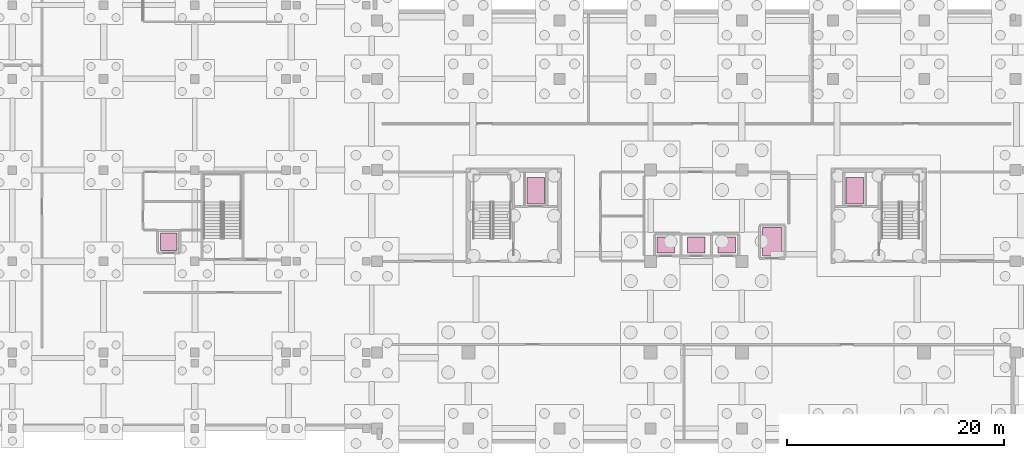
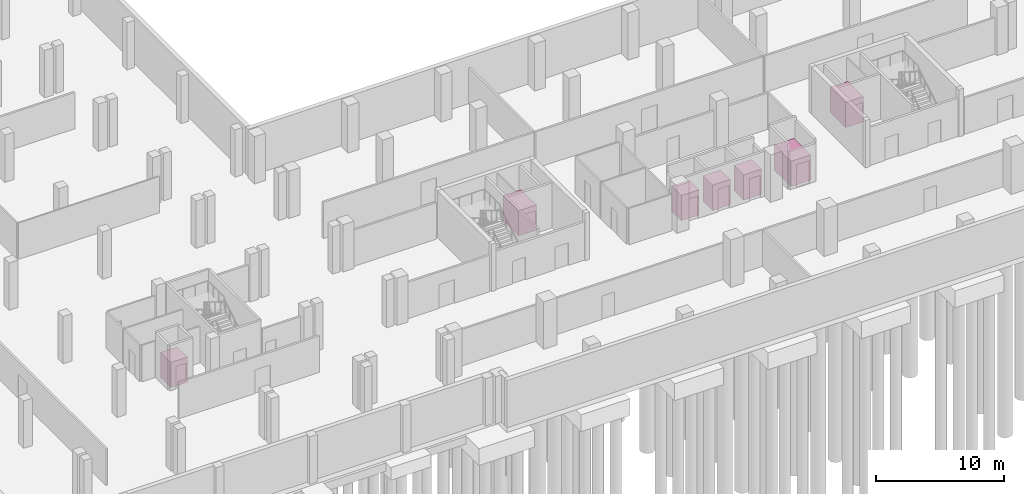
# One storey, part 17 of 17: 7 transport elements.
"""IFC4 building model written with IfcOpenShell, lengths in metres."""

from ifc_helpers import new_model, si_unit, direction, frame, origin, origin_2d, place, context, subcontext, project, spatial, rectangle, extrude, material, type_object, element, save


model = new_model("IFC4")

# Units and contexts
model_context = context("Model", 3, precision=1e-05, world=origin(), true_north=direction((0.0, 1.0)))
body_context = subcontext(model_context, "Body", "Model", "MODEL_VIEW")
ifc_project = project(units=[si_unit("LENGTHUNIT", "METRE"), si_unit("AREAUNIT", "SQUARE_METRE"), si_unit("VOLUMEUNIT", "CUBIC_METRE"), si_unit("PLANEANGLEUNIT", "RADIAN"), si_unit("MASSUNIT", "GRAM", prefix="KILO")], contexts=[model_context])

# Site, building, storey
site_placement = place(None, origin())
site = spatial("IfcSite", under=ifc_project, at=site_placement, CompositionType="ELEMENT")
building_placement = place(site_placement, origin())
building = spatial("IfcBuilding", under=site, at=building_placement, Name="Telukmera Botanical Conservatory", CompositionType="ELEMENT")
storey_placement = place(building_placement, frame((0.0, 0.0, -4.5)))
storey = spatial("IfcBuildingStorey", under=building, at=storey_placement, Name="B1", CompositionType="ELEMENT", Elevation=-4.5)

# Transport elements
ifc_material = material(Name="Stainless steel 316", Category="steel")
transport_element_type_1 = type_object("IfcTransportElementType", Name="LIFT-FF-1600", PredefinedType="ELEVATOR", material=ifc_material)
for number, where, z_axis, x_axis, name in (
    (1, (65.0, 32.5, 0.0), (0.0, 0.0, 1.0), (1.0, 0.0, 0.0), "Firefighting and Stretcher Lift FL1"),
    (2, (94.39990234375, 32.5, 0.0), (0.0, 0.0, 1.0), (1.0, 0.0, 0.0), "Firefighting and Stretcher Lift FL2"),
):
    element("IfcTransportElement", number, at=place(storey_placement, frame(where, z_axis=z_axis, x_axis=x_axis)), inside=storey, type_object=transport_element_type_1, Name=name, PredefinedType="ELEVATOR", context=body_context, shape_type="SweptSolid", body=[
        extrude(rectangle(XDim=1.60009765625, YDim=2.39990234375, at=origin_2d()), origin(), (0.0, 0.0, 1.0), 2.39990234375),
    ])
transport_element_type_2 = type_object("IfcTransportElementType", Name="LIFT-GD-2500", PredefinedType="ELEVATOR", material=ifc_material)
transport_element_1_placement = place(storey_placement, frame((86.800048828125, 27.800048828125, 0.0), z_axis=(0.0, 0.0, 1.0), x_axis=(1.0, 0.0, 0.0)))
element("IfcTransportElement", 3, at=transport_element_1_placement, inside=storey, type_object=transport_element_type_2, Name="Herbarium Clean Goods Lift GL1", PredefinedType="ELEVATOR", context=body_context, shape_type="SweptSolid", body=[
    extrude(rectangle(XDim=1.800048828125, YDim=2.60009765625, at=origin_2d()), origin(), (0.0, 0.0, 1.0), 2.39990234375),
])
transport_element_type_3 = type_object("IfcTransportElementType", Name="LIFT-PV-1350", PredefinedType="ELEVATOR", material=ifc_material)
transport_element_2_placement = place(storey_placement, frame((31.199951171875, 27.800048828125, 0.0), z_axis=(0.0, 0.0, 1.0), x_axis=(1.0, 0.0, 0.0)))
element("IfcTransportElement", 4, at=transport_element_2_placement, inside=storey, type_object=transport_element_type_3, Name="Visitor Centre Passenger Lift VL1", PredefinedType="ELEVATOR", context=body_context, shape_type="SweptSolid", body=[
    extrude(rectangle(XDim=1.5, YDim=1.60009765625, at=origin_2d()), origin(), (0.0, 0.0, 1.0), 2.39990234375),
])
transport_element_type_4 = type_object("IfcTransportElementType", Name="LIFT-PX-1600", PredefinedType="ELEVATOR", material=ifc_material)
for number, where, z_axis, x_axis, name in (
    (5, (77.0, 27.5, 0.0), (0.0, 0.0, 1.0), (1.0, 0.0, 0.0), "Tower Passenger Lift PL1"),
    (6, (79.800048828125, 27.5, 0.0), (0.0, 0.0, 1.0), (1.0, 0.0, 0.0), "Tower Passenger Lift PL2"),
    (7, (82.60009765625, 27.5, 0.0), (0.0, 0.0, 1.0), (1.0, 0.0, 0.0), "Tower Passenger Lift PL3"),
):
    element("IfcTransportElement", number, at=place(storey_placement, frame(where, z_axis=z_axis, x_axis=x_axis)), inside=storey, type_object=transport_element_type_4, Name=name, PredefinedType="ELEVATOR", context=body_context, shape_type="SweptSolid", body=[
        extrude(rectangle(XDim=1.60009765625, YDim=1.5, at=origin_2d()), origin(), (0.0, 0.0, 1.0), 2.39990234375),
    ])

save(model, "model.ifc")
